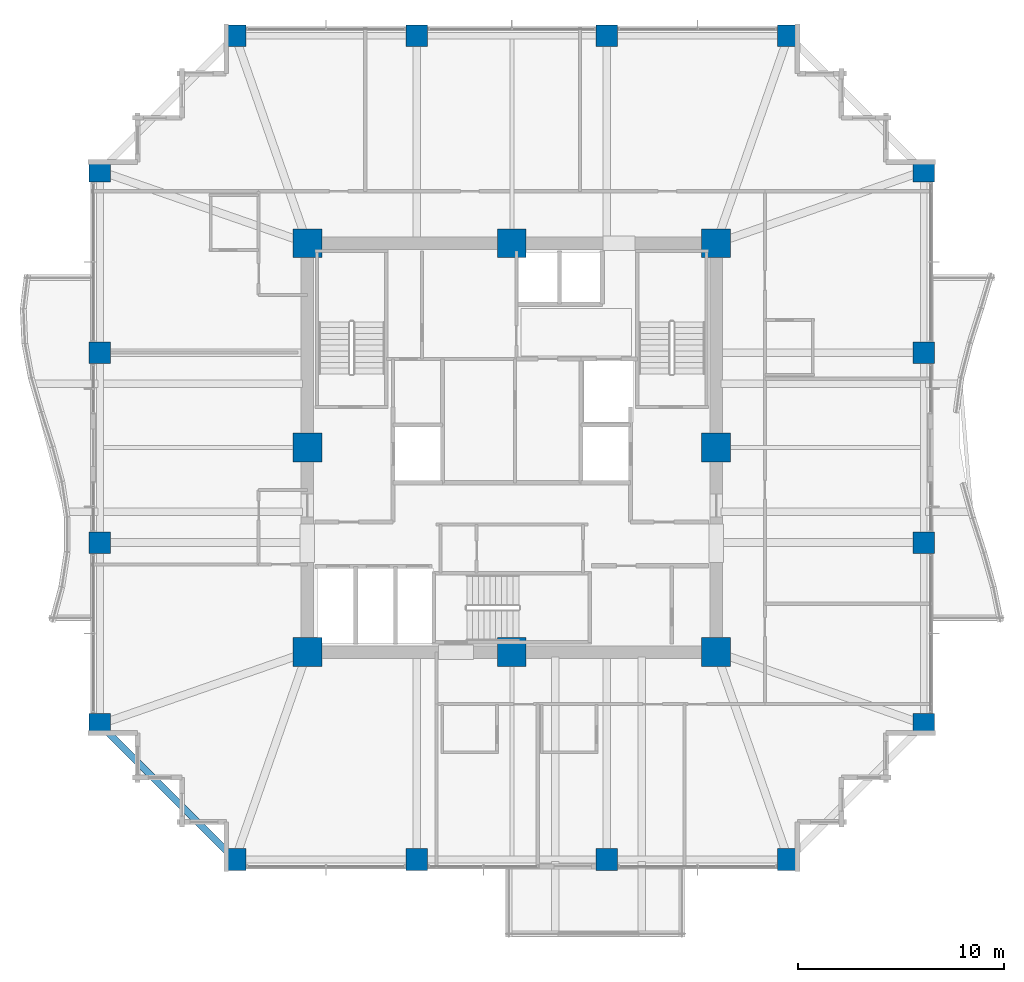
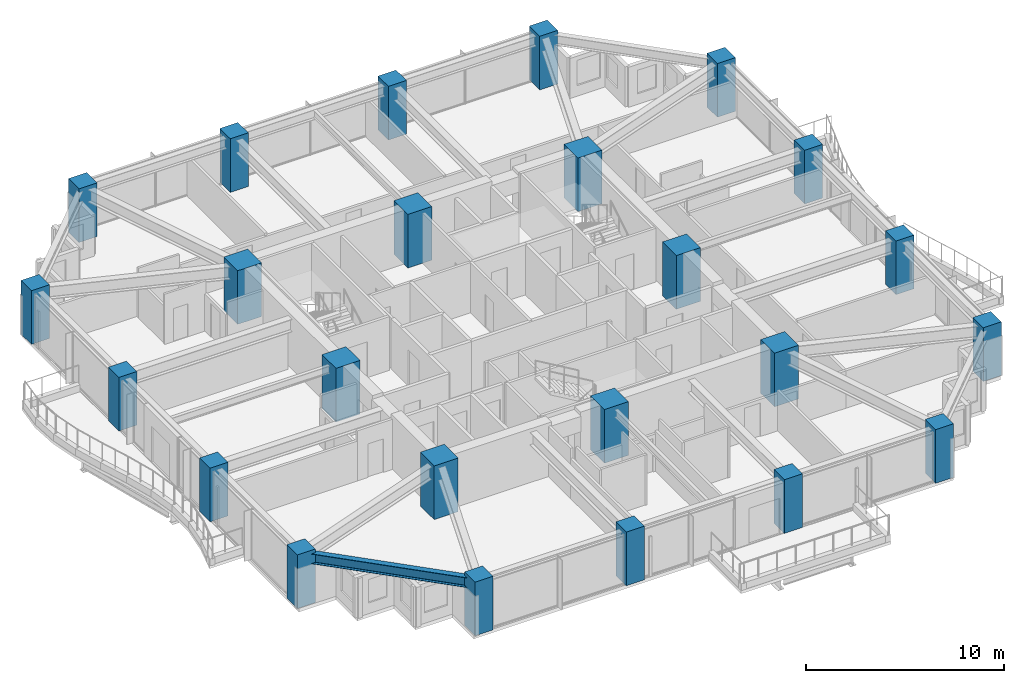
# One storey, part 1 of 38: 24 columns, 1 beam.
"""IFC4 building model written with IfcOpenShell, lengths in metres."""

from ifc_helpers import new_model, si_unit, direction, frame, origin, origin_2d, place, context, subcontext, project, spatial, rectangle, i_section, extrude, material, material_profile, profile_set, type_object, element, save


model = new_model("IFC4")

# Units and contexts
model_context = context("Model", 3, precision=1e-05, world=origin(), true_north=direction((0.0, 1.0)))
body_context = subcontext(model_context, "Body", "Model", "MODEL_VIEW")
ifc_project = project(units=[si_unit("LENGTHUNIT", "METRE"), si_unit("AREAUNIT", "SQUARE_METRE"), si_unit("VOLUMEUNIT", "CUBIC_METRE"), si_unit("PLANEANGLEUNIT", "RADIAN"), si_unit("MASSUNIT", "GRAM", prefix="KILO")], contexts=[model_context])

# Site, building, storey
site_placement = place(None, origin())
site = spatial("IfcSite", under=ifc_project, at=site_placement, CompositionType="ELEMENT")
building_placement = place(site_placement, origin())
building = spatial("IfcBuilding", under=site, at=building_placement, Name="Kolvaren Belvedere", CompositionType="ELEMENT")
storey_placement = place(building_placement, frame((0.0, 0.0, 101.89990234375)))
storey = spatial("IfcBuildingStorey", under=building, at=storey_placement, Name="L29", CompositionType="ELEMENT", Elevation=101.89990234375)

# Columns
ifc_material_1 = material(Name="Concrete C50/60", Category="concrete")
ifc_material_profile_1 = material_profile(ifc_material_1, rectangle(XDim=1.050048828125, YDim=1.050048828125, at=origin_2d()), Name="RC 1050X1050")
ifc_profile_set_1 = profile_set([ifc_material_profile_1], Name="Concrete C50/60")
column_type_1 = type_object("IfcColumnType", Name="COL-RC-1050", PredefinedType="COLUMN", material=ifc_profile_set_1)
for number, where, z_axis, x_axis, name in (
    (1, (-13.39990234375, -19.949951171875, 0.0), (0.0, 0.0, 1.0), (1.0, 0.0, 0.0), "L29 Perimeter Column S1"),
    (2, (-4.60009765625, -19.949951171875, 0.0), (0.0, 0.0, 1.0), (1.0, 0.0, 0.0), "L29 Perimeter Column S2"),
    (3, (4.60009765625, -19.949951171875, 0.0), (0.0, 0.0, 1.0), (1.0, 0.0, 0.0), "L29 Perimeter Column S3"),
    (4, (13.39990234375, -19.949951171875, 0.0), (0.0, 0.0, 1.0), (1.0, 0.0, 0.0), "L29 Perimeter Column S4"),
    (5, (-13.39990234375, 19.949951171875, 0.0), (0.0, 0.0, 1.0), (1.0, 0.0, 0.0), "L29 Perimeter Column N1"),
    (6, (-4.60009765625, 19.949951171875, 0.0), (0.0, 0.0, 1.0), (1.0, 0.0, 0.0), "L29 Perimeter Column N2"),
    (7, (4.60009765625, 19.949951171875, 0.0), (0.0, 0.0, 1.0), (1.0, 0.0, 0.0), "L29 Perimeter Column N3"),
    (8, (13.39990234375, 19.949951171875, 0.0), (0.0, 0.0, 1.0), (1.0, 0.0, 0.0), "L29 Perimeter Column N4"),
    (9, (-19.949951171875, -13.39990234375, 0.0), (0.0, 0.0, 1.0), (1.0, 0.0, 0.0), "L29 Perimeter Column W1"),
    (10, (-19.949951171875, -4.60009765625, 0.0), (0.0, 0.0, 1.0), (1.0, 0.0, 0.0), "L29 Perimeter Column W2"),
    (11, (-19.949951171875, 4.60009765625, 0.0), (0.0, 0.0, 1.0), (1.0, 0.0, 0.0), "L29 Perimeter Column W3"),
    (12, (-19.949951171875, 13.39990234375, 0.0), (0.0, 0.0, 1.0), (1.0, 0.0, 0.0), "L29 Perimeter Column W4"),
    (13, (19.949951171875, -13.39990234375, 0.0), (0.0, 0.0, 1.0), (1.0, 0.0, 0.0), "L29 Perimeter Column E1"),
    (14, (19.949951171875, -4.60009765625, 0.0), (0.0, 0.0, 1.0), (1.0, 0.0, 0.0), "L29 Perimeter Column E2"),
    (15, (19.949951171875, 4.60009765625, 0.0), (0.0, 0.0, 1.0), (1.0, 0.0, 0.0), "L29 Perimeter Column E3"),
    (16, (19.949951171875, 13.39990234375, 0.0), (0.0, 0.0, 1.0), (1.0, 0.0, 0.0), "L29 Perimeter Column E4"),
):
    element("IfcColumn", number, at=place(storey_placement, frame(where, z_axis=z_axis, x_axis=x_axis)), inside=storey, type_object=column_type_1, Name=name, PredefinedType="COLUMN", context=body_context, shape_type="SweptSolid", body=[
        extrude(rectangle(XDim=1.050048828125, YDim=1.050048828125, at=origin_2d()), origin(), (0.0, 0.0, 1.0), 3.300048828125),
    ])
ifc_material_2 = material(Name="Concrete C60/75", Category="concrete")
ifc_material_profile_2 = material_profile(ifc_material_2, rectangle(XDim=1.39990234375, YDim=1.39990234375, at=origin_2d()), Name="RC 1400X1400")
ifc_profile_set_2 = profile_set([ifc_material_profile_2], Name="Concrete C60/75")
column_type_2 = type_object("IfcColumnType", Name="COL-RC-1400", PredefinedType="COLUMN", material=ifc_profile_set_2)
for number, where, z_axis, x_axis, name in (
    (17, (-9.89990234375, -9.89990234375, 0.0), (0.0, 0.0, 1.0), (1.0, 0.0, 0.0), "L29 Core Column CC1"),
    (18, (9.89990234375, -9.89990234375, 0.0), (0.0, 0.0, 1.0), (1.0, 0.0, 0.0), "L29 Core Column CC2"),
    (19, (9.89990234375, 9.89990234375, 0.0), (0.0, 0.0, 1.0), (1.0, 0.0, 0.0), "L29 Core Column CC3"),
    (20, (-9.89990234375, 9.89990234375, 0.0), (0.0, 0.0, 1.0), (1.0, 0.0, 0.0), "L29 Core Column CC4"),
    (21, (0.0, -9.89990234375, 0.0), (0.0, 0.0, 1.0), (1.0, 0.0, 0.0), "L29 Core Column CM1"),
    (22, (9.89990234375, 0.0, 0.0), (0.0, 0.0, 1.0), (1.0, 0.0, 0.0), "L29 Core Column CM2"),
    (23, (0.0, 9.89990234375, 0.0), (0.0, 0.0, 1.0), (1.0, 0.0, 0.0), "L29 Core Column CM3"),
    (24, (-9.89990234375, 0.0, 0.0), (0.0, 0.0, 1.0), (1.0, 0.0, 0.0), "L29 Core Column CM4"),
):
    element("IfcColumn", number, at=place(storey_placement, frame(where, z_axis=z_axis, x_axis=x_axis)), inside=storey, type_object=column_type_2, Name=name, PredefinedType="COLUMN", context=body_context, shape_type="SweptSolid", body=[
        extrude(rectangle(XDim=1.39990234375, YDim=1.39990234375, at=origin_2d()), origin(), (0.0, 0.0, 1.0), 3.300048828125),
    ])

# Beam
ifc_material_3 = material(Name="Structural steel ASTM A992 Grade 50", Category="steel")
ifc_material_profile_3 = material_profile(ifc_material_3, i_section(OverallWidth=0.324951171875, OverallDepth=0.615966796875, WebThickness=0.013916015625, FlangeThickness=0.021484375, FilletRadius=0.02001953125, at=origin_2d()), Name="W24X117")
ifc_profile_set_3 = profile_set([ifc_material_profile_3], Name="Structural steel ASTM A992 Grade 50")
beam_type = type_object("IfcBeamType", Name="BM-SPAN-W24X117", PredefinedType="SPANDREL", material=ifc_profile_set_3)
beam_placement = place(storey_placement, frame((-19.782958984375, -13.567138671875, 2.772216796875), z_axis=(0.707106781187, -0.707106781187, 0.0), x_axis=(0.707106781187, 0.707106781187, 0.0)))
element("IfcBeam", 25, at=beam_placement, inside=storey, type_object=beam_type, Name="L29 Perimeter Spandrel W1-S1", PredefinedType="SPANDREL", context=body_context, shape_type="SweptSolid", body=[
    extrude(i_section(OverallWidth=0.324951171875, OverallDepth=0.615966796875, WebThickness=0.013916015625, FlangeThickness=0.021484375, FilletRadius=0.02001953125, at=origin_2d()), origin(), (0.0, 0.0, 1.0), 8.79052734375),
])

save(model, "model.ifc")
